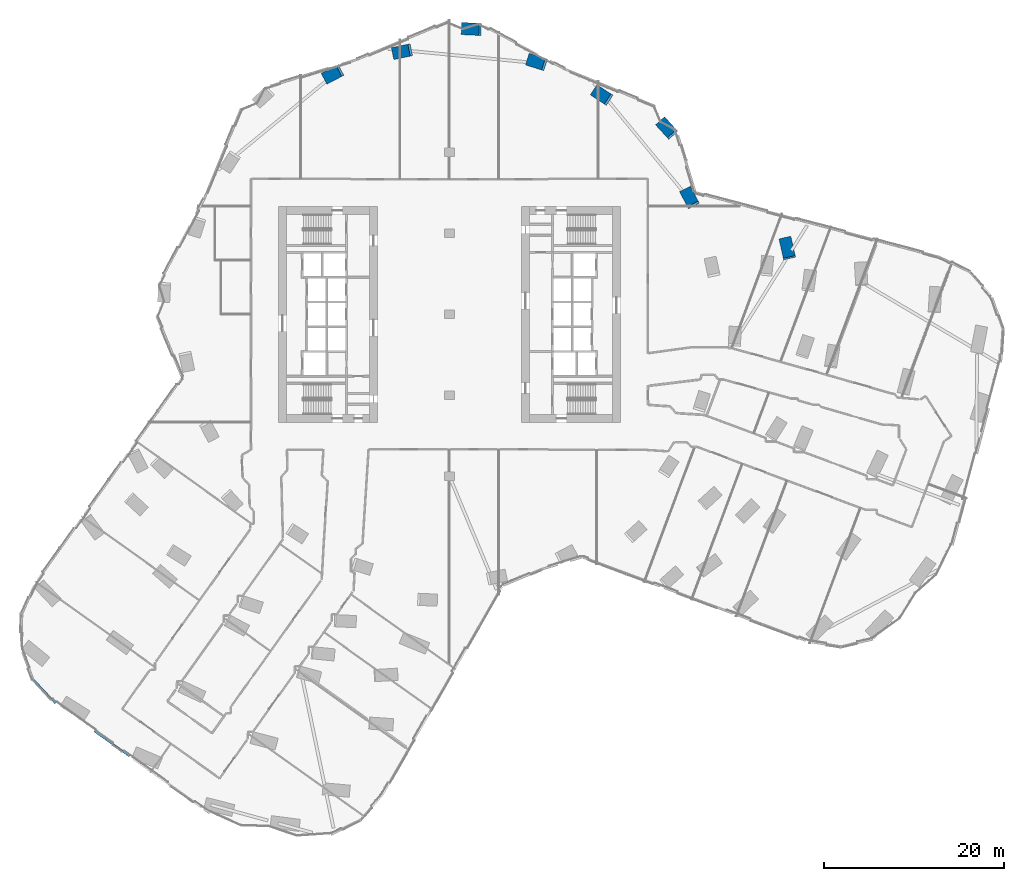
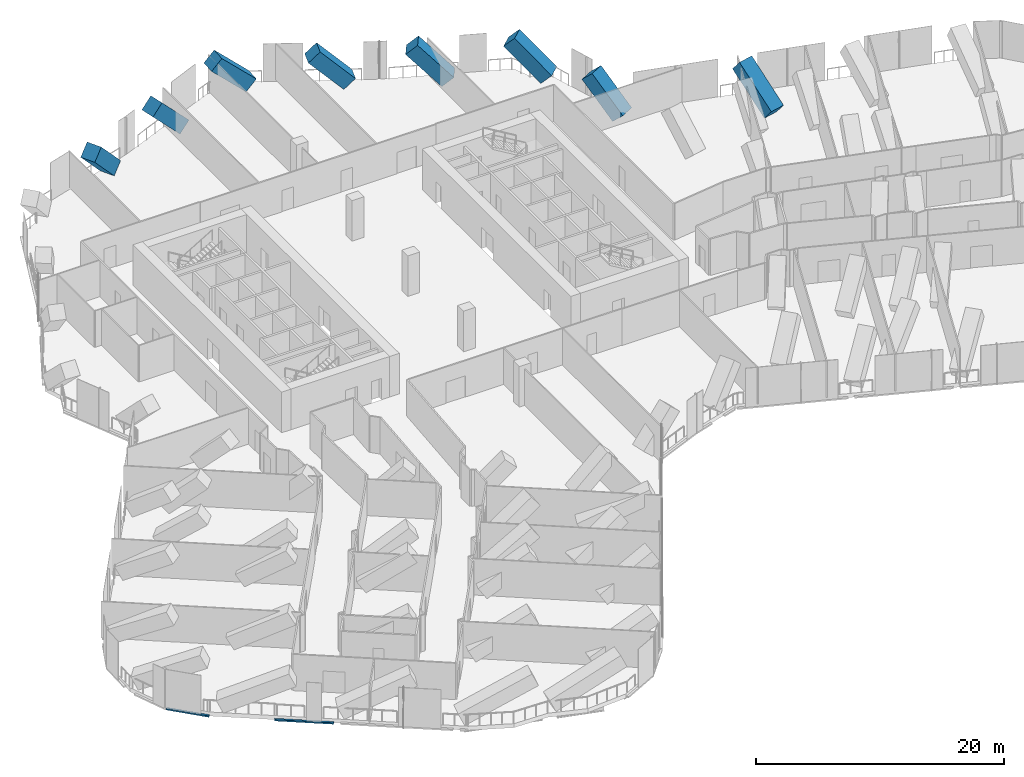
# One storey, part 2 of 34: 8 columns, 2 members, 2 elements without a shape of their own.
"""IFC4 building model written with IfcOpenShell, lengths in metres."""

from ifc_helpers import new_model, si_unit, direction, frame, origin, origin_2d, place, context, subcontext, project, spatial, rectangle, extrude, material, material_profile, profile_set, type_object, element, aggregate, save


model = new_model("IFC4")

# Units and contexts
model_context = context("Model", 3, precision=1e-05, world=origin(), true_north=direction((0.0, 1.0)))
body_context = subcontext(model_context, "Body", "Model", "MODEL_VIEW")
ifc_project = project(units=[si_unit("LENGTHUNIT", "METRE"), si_unit("AREAUNIT", "SQUARE_METRE"), si_unit("VOLUMEUNIT", "CUBIC_METRE"), si_unit("PLANEANGLEUNIT", "RADIAN"), si_unit("MASSUNIT", "GRAM", prefix="KILO")], contexts=[model_context])

# Site, building, storey
site_placement = place(None, origin())
site = spatial("IfcSite", under=ifc_project, at=site_placement, CompositionType="ELEMENT")
building_placement = place(site_placement, origin())
building = spatial("IfcBuilding", under=site, at=building_placement, Name="Orlundy Tower", CompositionType="ELEMENT")
storey_placement = place(building_placement, frame((0.0, 0.0, 98.199951171875)))
storey = spatial("IfcBuildingStorey", under=building, at=storey_placement, Name="L24", CompositionType="ELEMENT", Elevation=98.199951171875)

# Columns
ifc_material_1 = material(Name="Concrete C80/95", Category="concrete")
ifc_material_profile_1 = material_profile(ifc_material_1, rectangle(XDim=1.35009765625, YDim=1.35009765625, at=origin_2d()), Name="RC1350X1350")
ifc_profile_set_1 = profile_set([ifc_material_profile_1], Name="Concrete C80/95")
column_type = type_object("IfcColumnType", Name="RC COLUMN RC1350X1350 C80/95", PredefinedType="COLUMN", material=ifc_profile_set_1)
column_1_placement = place(storey_placement, frame((37.7041015625, 6.614990234375, 0.533447265625), z_axis=(-0.174865419339, 0.770754140535, 0.612666418181), x_axis=(-0.975216452063, -0.221252958457, 0.0)))
element("IfcColumn", 1, at=column_1_placement, inside=storey, type_object=column_type, Name="Column C-A5-1 L24 strut", PredefinedType="COLUMN", context=body_context, shape_type="SweptSolid", body=[
    extrude(rectangle(XDim=1.35009765625, YDim=1.35009765625, at=origin_2d()), origin(), (0.0, 0.0, 1.0), 4.787353515625),
])
column_2_placement = place(storey_placement, frame((24.554931640625, 20.240966796875, 0.486328125), z_axis=(-0.485285534425, 0.532701381088, 0.693344927626), x_axis=(-0.739240974363, -0.673441000997, 0.0)))
element("IfcColumn", 2, at=column_2_placement, inside=storey, type_object=column_type, Name="Column C-H01 L24 strut", PredefinedType="COLUMN", context=body_context, shape_type="SweptSolid", body=[
    extrude(rectangle(XDim=1.35009765625, YDim=1.35009765625, at=origin_2d()), origin(), (0.0, 0.0, 1.0), 4.3662109375),
])
for number, where, z_axis, x_axis, name in (
    (3, (26.928955078125, 12.47802734375, 0.466796875), (-0.32137646831, 0.612093610038, 0.722536212357), (-0.885381636401, -0.464864881362, 0.0), "Column C-H02 L24 strut"),
    (4, (-12.47802734375, 26.928955078125, 0.466796875), (-0.612093610038, -0.32137646831, 0.722536212357), (0.464864881362, -0.885381636401, 0.0), "Column C-H20 L24 strut"),
):
    element("IfcColumn", number, at=place(storey_placement, frame(where, z_axis=z_axis, x_axis=x_axis)), inside=storey, type_object=column_type, Name=name, PredefinedType="COLUMN", context=body_context, shape_type="SweptSolid", body=[
        extrude(rectangle(XDim=1.35009765625, YDim=1.35009765625, at=origin_2d()), origin(), (0.0, 0.0, 1.0), 4.244384765625),
    ])
column_3_placement = place(storey_placement, frame((-4.714111328125, 29.302001953125, 0.466552734375), z_axis=(-0.676218305191, -0.14323977711, 0.722641799218), x_axis=(0.207226666249, -0.97829295653, 0.0)))
element("IfcColumn", 5, at=column_3_placement, inside=storey, type_object=column_type, Name="Column C-H21 L24 strut", PredefinedType="COLUMN", context=body_context, shape_type="SweptSolid", body=[
    extrude(rectangle(XDim=1.35009765625, YDim=1.35009765625, at=origin_2d()), origin(), (0.0, 0.0, 1.0), 4.243896484375),
])
column_4_placement = place(storey_placement, frame((3.050048828125, 31.676025390625, 0.486328125), z_axis=(-0.719838795512, 0.03343666302, 0.693335487366), x_axis=(-0.046400179673, -0.998922931625, 0.0)))
element("IfcColumn", 6, at=column_4_placement, inside=storey, type_object=column_type, Name="Column C-H22 L24 strut", PredefinedType="COLUMN", context=body_context, shape_type="SweptSolid", body=[
    extrude(rectangle(XDim=1.35009765625, YDim=1.35009765625, at=origin_2d()), origin(), (0.0, 0.0, 1.0), 4.366455078125),
])
for number, where, z_axis, x_axis, name in (
    (7, (10.218017578125, 27.864013671875, 0.466552734375), (-0.659955152196, 0.205700307178, 0.722597108157), (-0.297568935425, -0.954700334487, 0.0), "Column C-H23 L24 strut"),
    (8, (17.386962890625, 24.052978515625, 0.466552734375), (-0.57958595143, 0.376765381289, 0.722584232023), (-0.54502344735, -0.838420802366, 0.0), "Column C-H24 L24 strut"),
):
    element("IfcColumn", number, at=place(storey_placement, frame(where, z_axis=z_axis, x_axis=x_axis)), inside=storey, type_object=column_type, Name=name, PredefinedType="COLUMN", context=body_context, shape_type="SweptSolid", body=[
        extrude(rectangle(XDim=1.35009765625, YDim=1.35009765625, at=origin_2d()), origin(), (0.0, 0.0, 1.0), 4.244384765625),
    ])

# Curtain wall, member
ifc_material_2 = material(Name="Aluminium bronze anodised", Category="aluminium")
curtain_wall_type = type_object("IfcCurtainWallType", Name="CW5 wall", PredefinedType="NOTDEFINED", material=ifc_material_2)
curtain_wall_1_placement = place(storey_placement, origin())
curtain_wall_1 = element("IfcCurtainWall", 9, at=curtain_wall_1_placement, inside=storey, type_object=curtain_wall_type, Name="CW5 run 07", PredefinedType="NOTDEFINED")
ifc_material_3 = material(Name="Aluminium bronze anodised", Category="aluminium")
ifc_material_profile_2 = material_profile(ifc_material_3, rectangle(XDim=0.199951171875, YDim=0.139892578125, at=origin_2d()), Name="CW5 transom 200x140")
ifc_profile_set_2 = profile_set([ifc_material_profile_2], Name="Aluminium bronze anodised")
member_type = type_object("IfcMemberType", Name="CW5 transom 200x140", PredefinedType="USERDEFINED", material=ifc_profile_set_2)
member_1_placement = place(storey_placement, frame((-35.533935546875, -49.090576171875, -0.329833984375), z_axis=(-0.814152241873, 0.580651467796, 0.0), x_axis=(-0.580651467796, -0.814152241873, 0.0)))
member_1 = element("IfcMember", 10, at=member_1_placement, type_object=member_type, Name="CW5 transom", ObjectType="TRANSOM", PredefinedType="USERDEFINED", context=body_context, shape_type="SweptSolid", body=[
    extrude(rectangle(XDim=0.199951171875, YDim=0.139892578125, at=origin_2d()), origin(), (0.0, 0.0, 1.0), 4.80322265625),
])
aggregate(curtain_wall_1, [member_1])

curtain_wall_2_placement = place(storey_placement, origin())
curtain_wall_2 = element("IfcCurtainWall", 11, at=curtain_wall_2_placement, inside=storey, type_object=curtain_wall_type, Name="CW5 run 08", PredefinedType="NOTDEFINED")
member_2_placement = place(storey_placement, frame((-43.764404296875, -43.21435546875, -0.329833984375), z_axis=(-0.685197719846, 0.728357113453, 0.0), x_axis=(-0.728357113453, -0.685197719846, 0.0)))
member_2 = element("IfcMember", 12, at=member_2_placement, type_object=member_type, Name="CW5 transom", ObjectType="TRANSOM", PredefinedType="USERDEFINED", context=body_context, shape_type="SweptSolid", body=[
    extrude(rectangle(XDim=0.199951171875, YDim=0.139892578125, at=origin_2d()), origin(), (0.0, 0.0, 1.0), 3.603271484375),
])
aggregate(curtain_wall_2, [member_2])

save(model, "model.ifc")
